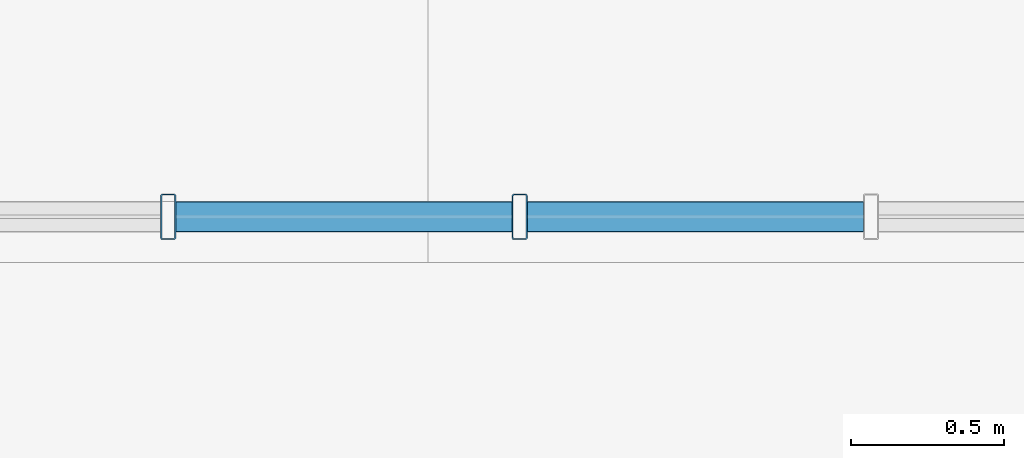
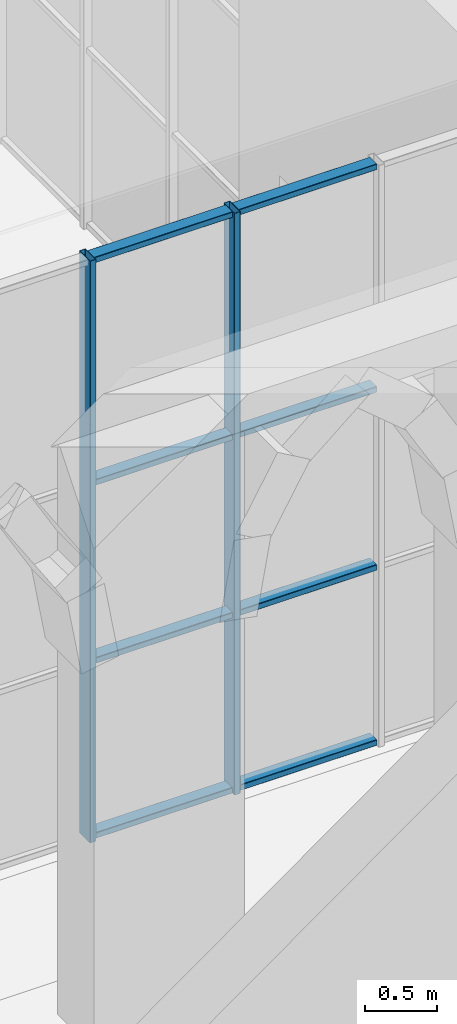
# One storey, part 21 of 125: 10 members, 1 element without a shape of its own.
"""IFC4 building model written with IfcOpenShell, lengths in metres."""

from ifc_helpers import new_model, si_unit, direction, frame, origin, origin_2d, place, context, subcontext, project, spatial, hollow_rectangle, extrude, material, material_profile, profile_set, type_object, element, aggregate, save


model = new_model("IFC4")

# Units and contexts
model_context = context("Model", 3, precision=1e-05, world=origin(), true_north=direction((0.0, 1.0)))
body_context = subcontext(model_context, "Body", "Model", "MODEL_VIEW")
ifc_project = project(units=[si_unit("LENGTHUNIT", "METRE"), si_unit("AREAUNIT", "SQUARE_METRE"), si_unit("VOLUMEUNIT", "CUBIC_METRE"), si_unit("PLANEANGLEUNIT", "RADIAN"), si_unit("MASSUNIT", "GRAM", prefix="KILO")], contexts=[model_context])

# Site, building, storey
site_placement = place(None, origin())
site = spatial("IfcSite", under=ifc_project, at=site_placement, CompositionType="ELEMENT")
building_placement = place(site_placement, origin())
building = spatial("IfcBuilding", under=site, at=building_placement, Name="Sun Court Science Centre", CompositionType="ELEMENT")
storey_placement = place(building_placement, origin())
storey = spatial("IfcBuildingStorey", under=building, at=storey_placement, Name="L00", CompositionType="ELEMENT", Elevation=0.0)

# Curtain wall, members
ifc_material_1 = material(Name="Aluminium EN AW-6063 T6", Category="aluminium")
curtain_wall_type = type_object("IfcCurtainWallType", Name="Pavilion curtain wall 1200", PredefinedType="NOTDEFINED", material=ifc_material_1)
curtain_wall_placement = place(storey_placement, origin())
curtain_wall = element("IfcCurtainWall", 1, at=curtain_wall_placement, inside=storey, type_object=curtain_wall_type, Name="Curtain wall V5 S L00 01", PredefinedType="NOTDEFINED")
ifc_material_2 = material(Name="Aluminium EN AW-6063 T6", Category="aluminium")
ifc_material_profile_1 = material_profile(ifc_material_2, hollow_rectangle(XDim=0.050048828125, YDim=0.14990234375, WallThickness=0.00390625, InnerFilletRadius=0.00390625, OuterFilletRadius=0.006103515625, at=origin_2d()), Name="AL 50x150x4")
ifc_profile_set_1 = profile_set([ifc_material_profile_1], Name="Aluminium EN AW-6063 T6")
member_type_1 = type_object("IfcMemberType", Name="Curtain wall mullion AL 50x150", PredefinedType="MULLION", material=ifc_profile_set_1)
member_1_placement = place(storey_placement, frame((62.14990234375, 36.14990234375, 0.0), z_axis=(0.0, 0.0, 1.0), x_axis=(-1.0, 0.0, 0.0)))
member_1 = element("IfcMember", 2, at=member_1_placement, type_object=member_type_1, Name="CW3-01 mullion 4", PredefinedType="MULLION", context=body_context, shape_type="SweptSolid", body=[
    extrude(hollow_rectangle(XDim=0.050048828125, YDim=0.14990234375, WallThickness=0.00390625, InnerFilletRadius=0.00390625, OuterFilletRadius=0.006103515625, at=origin_2d()), origin(), (0.0, 0.0, 1.0), 4.89990234375),
])
member_2_placement = place(storey_placement, frame((63.300048828125, 36.14990234375, 0.0), z_axis=(0.0, 0.0, 1.0), x_axis=(-1.0, 0.0, 0.0)))
member_2 = element("IfcMember", 3, at=member_2_placement, type_object=member_type_1, Name="CW3-01 mullion 3", PredefinedType="MULLION", context=body_context, shape_type="SweptSolid", body=[
    extrude(hollow_rectangle(XDim=0.050048828125, YDim=0.14990234375, WallThickness=0.00390625, InnerFilletRadius=0.00390625, OuterFilletRadius=0.006103515625, at=origin_2d()), origin(), (0.0, 0.0, 1.0), 4.89990234375),
])
ifc_material_3 = material(Name="Aluminium EN AW-6063 T6", Category="aluminium")
ifc_material_profile_2 = material_profile(ifc_material_3, hollow_rectangle(XDim=0.050048828125, YDim=0.10009765625, WallThickness=0.00390625, InnerFilletRadius=0.00390625, OuterFilletRadius=0.006103515625, at=origin_2d()), Name="AL 50x100x4")
ifc_profile_set_2 = profile_set([ifc_material_profile_2], Name="Aluminium EN AW-6063 T6")
member_type_2 = type_object("IfcMemberType", Name="Curtain wall transom AL 50x100", PredefinedType="USERDEFINED", material=ifc_profile_set_2)
member_3_placement = place(storey_placement, frame((63.27490234375, 36.14990234375, 0.02490234375), z_axis=(-1.0, 0.0, 0.0), x_axis=(0.0, 0.0, 1.0)))
member_3 = element("IfcMember", 4, at=member_3_placement, type_object=member_type_2, Name="CW3-01 transom 3.1", ObjectType="TRANSOM", PredefinedType="USERDEFINED", context=body_context, shape_type="SweptSolid", body=[
    extrude(hollow_rectangle(XDim=0.050048828125, YDim=0.10009765625, WallThickness=0.00390625, InnerFilletRadius=0.00390625, OuterFilletRadius=0.006103515625, at=origin_2d()), origin(), (0.0, 0.0, 1.0), 1.099853515625),
])
member_4_placement = place(storey_placement, frame((64.425048828125, 36.14990234375, 0.02490234375), z_axis=(-1.0, 0.0, 0.0), x_axis=(0.0, 0.0, 1.0)))
member_4 = element("IfcMember", 5, at=member_4_placement, type_object=member_type_2, Name="CW3-01 transom 2.1", ObjectType="TRANSOM", PredefinedType="USERDEFINED", context=body_context, shape_type="SweptSolid", body=[
    extrude(hollow_rectangle(XDim=0.050048828125, YDim=0.10009765625, WallThickness=0.00390625, InnerFilletRadius=0.00390625, OuterFilletRadius=0.006103515625, at=origin_2d()), origin(), (0.0, 0.0, 1.0), 1.10009765625),
])
member_5_placement = place(storey_placement, frame((63.27490234375, 36.14990234375, 1.5), z_axis=(-1.0, 0.0, 0.0), x_axis=(0.0, 0.0, 1.0)))
member_5 = element("IfcMember", 6, at=member_5_placement, type_object=member_type_2, Name="CW3-01 transom 3.2", ObjectType="TRANSOM", PredefinedType="USERDEFINED", context=body_context, shape_type="SweptSolid", body=[
    extrude(hollow_rectangle(XDim=0.050048828125, YDim=0.10009765625, WallThickness=0.00390625, InnerFilletRadius=0.00390625, OuterFilletRadius=0.006103515625, at=origin_2d()), origin(), (0.0, 0.0, 1.0), 1.099853515625),
])
member_6_placement = place(storey_placement, frame((64.425048828125, 36.14990234375, 1.5), z_axis=(-1.0, 0.0, 0.0), x_axis=(0.0, 0.0, 1.0)))
member_6 = element("IfcMember", 7, at=member_6_placement, type_object=member_type_2, Name="CW3-01 transom 2.2", ObjectType="TRANSOM", PredefinedType="USERDEFINED", context=body_context, shape_type="SweptSolid", body=[
    extrude(hollow_rectangle(XDim=0.050048828125, YDim=0.10009765625, WallThickness=0.00390625, InnerFilletRadius=0.00390625, OuterFilletRadius=0.006103515625, at=origin_2d()), origin(), (0.0, 0.0, 1.0), 1.10009765625),
])
member_7_placement = place(storey_placement, frame((63.27490234375, 36.14990234375, 3.0), z_axis=(-1.0, 0.0, 0.0), x_axis=(0.0, 0.0, 1.0)))
member_7 = element("IfcMember", 8, at=member_7_placement, type_object=member_type_2, Name="CW3-01 transom 3.3", ObjectType="TRANSOM", PredefinedType="USERDEFINED", context=body_context, shape_type="SweptSolid", body=[
    extrude(hollow_rectangle(XDim=0.050048828125, YDim=0.10009765625, WallThickness=0.00390625, InnerFilletRadius=0.00390625, OuterFilletRadius=0.006103515625, at=origin_2d()), origin(), (0.0, 0.0, 1.0), 1.099853515625),
])
member_8_placement = place(storey_placement, frame((64.425048828125, 36.14990234375, 3.0), z_axis=(-1.0, 0.0, 0.0), x_axis=(0.0, 0.0, 1.0)))
member_8 = element("IfcMember", 9, at=member_8_placement, type_object=member_type_2, Name="CW3-01 transom 2.3", ObjectType="TRANSOM", PredefinedType="USERDEFINED", context=body_context, shape_type="SweptSolid", body=[
    extrude(hollow_rectangle(XDim=0.050048828125, YDim=0.10009765625, WallThickness=0.00390625, InnerFilletRadius=0.00390625, OuterFilletRadius=0.006103515625, at=origin_2d()), origin(), (0.0, 0.0, 1.0), 1.10009765625),
])
member_9_placement = place(storey_placement, frame((63.27490234375, 36.14990234375, 4.875), z_axis=(-1.0, 0.0, 0.0), x_axis=(0.0, 0.0, 1.0)))
member_9 = element("IfcMember", 10, at=member_9_placement, type_object=member_type_2, Name="CW3-01 transom 3.4", ObjectType="TRANSOM", PredefinedType="USERDEFINED", context=body_context, shape_type="SweptSolid", body=[
    extrude(hollow_rectangle(XDim=0.050048828125, YDim=0.10009765625, WallThickness=0.00390625, InnerFilletRadius=0.00390625, OuterFilletRadius=0.006103515625, at=origin_2d()), origin(), (0.0, 0.0, 1.0), 1.099853515625),
])
member_10_placement = place(storey_placement, frame((64.425048828125, 36.14990234375, 4.875), z_axis=(-1.0, 0.0, 0.0), x_axis=(0.0, 0.0, 1.0)))
member_10 = element("IfcMember", 11, at=member_10_placement, type_object=member_type_2, Name="CW3-01 transom 2.4", ObjectType="TRANSOM", PredefinedType="USERDEFINED", context=body_context, shape_type="SweptSolid", body=[
    extrude(hollow_rectangle(XDim=0.050048828125, YDim=0.10009765625, WallThickness=0.00390625, InnerFilletRadius=0.00390625, OuterFilletRadius=0.006103515625, at=origin_2d()), origin(), (0.0, 0.0, 1.0), 1.10009765625),
])
aggregate(curtain_wall, [member_1, member_2, member_3, member_4, member_5, member_6, member_7, member_8, member_9, member_10])

save(model, "model.ifc")
